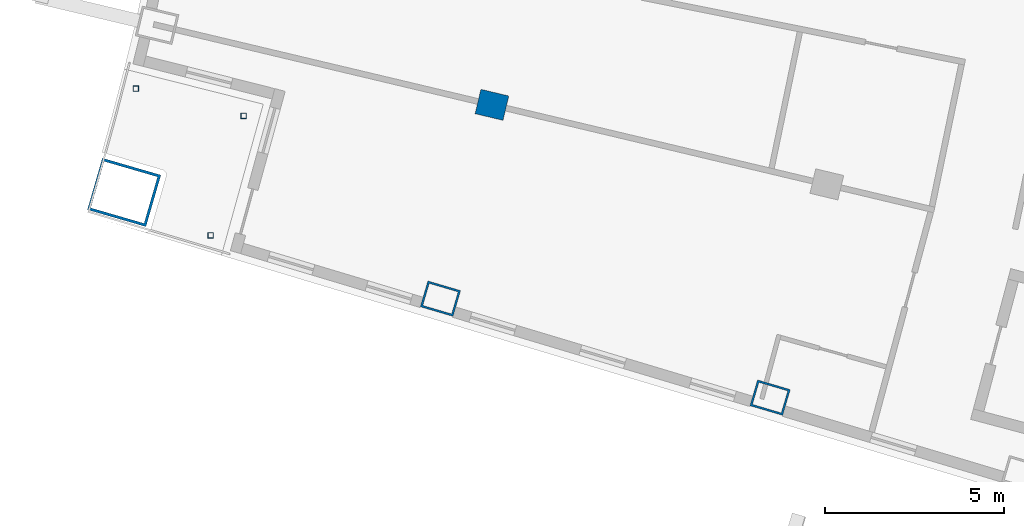
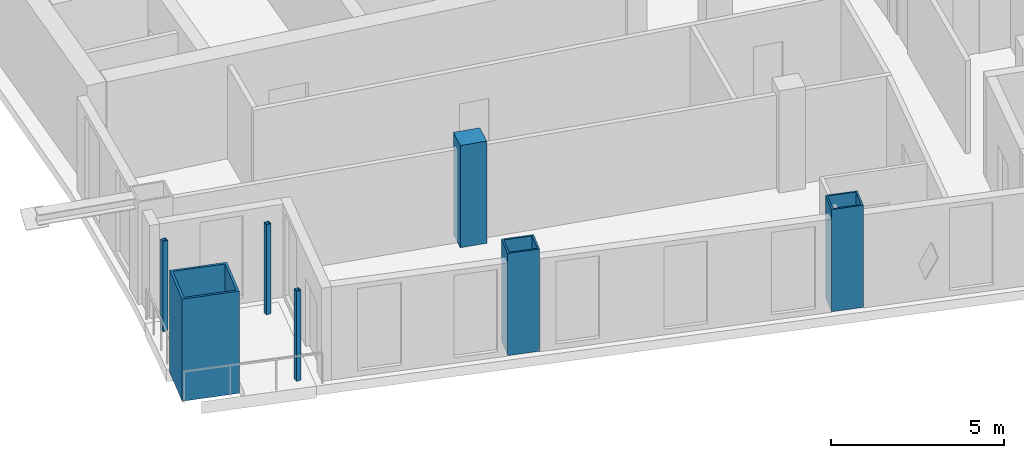
# One storey, part 1 of 17: 7 columns.
"""IFC4 building model written with IfcOpenShell, lengths in metres."""

import ifcopenshell
import ifcopenshell.guid

model = None  # the IFC model being written
_history = None  # IfcOwnerHistory: only IFC2X3 demands one
_inside = {}  # id of a spatial element -> (the spatial element, [elements in it])
_under = {}  # id of a project, library or spatial element -> (it, [spatial elements below it])
_declared = {}  # id of a project -> (the project, [libraries it declares])
_typed = {}  # id of a type object -> (the type object, [elements of that type])
_made_of = {}  # id of a material, layer set ... -> (it, [elements and type objects made of it])


def new_model(schema):
    """Start an empty IFC model of exactly this schema.

    Asked for "IFC4X3", IfcOpenShell would pick the latest addendum, in which some entities
    have other attributes; the version numbers below select the first issue.
    IFC2X3 requires an IfcOwnerHistory on every rooted entity: one is made here for all.
    """
    global model, _history
    if schema == "IFC4X3":
        model = ifcopenshell.file(schema_version=(4, 3, 0, 0))
    else:
        model = ifcopenshell.file(schema=schema)
    _inside.clear()
    _under.clear()
    _declared.clear()
    _typed.clear()
    _made_of.clear()
    _history = None
    if model.schema == "IFC2X3":
        org = make("IfcOrganization", Name="unknown")
        user = make(
            "IfcPersonAndOrganization",
            ThePerson=make("IfcPerson", FamilyName="unknown"),
            TheOrganization=org,
        )
        app = make(
            "IfcApplication",
            ApplicationDeveloper=org,
            Version="unknown",
            ApplicationFullName="unknown",
            ApplicationIdentifier="unknown",
        )
        _history = make(
            "IfcOwnerHistory",
            OwningUser=user,
            OwningApplication=app,
            ChangeAction="ADDED",
            CreationDate=0,
        )
    return model


def make(cls, **values):
    """One entity of the class cls with the attributes given. An attribute that is None is left unset."""
    return model.create_entity(
        cls, **{name: value for name, value in values.items() if value is not None}
    )


def rooted(cls, **values):
    """An entity with a GlobalId (a new one), such as an element, a storey or a relation."""
    return make(cls, GlobalId=ifcopenshell.guid.new(), OwnerHistory=_history, **values)


def si_unit(unit_type, name, prefix=None):
    """IfcSIUnit, for example si_unit("LENGTHUNIT", "METRE", prefix="MILLI")."""
    return make("IfcSIUnit", UnitType=unit_type, Prefix=prefix, Name=name)


def assignment(units):
    """IfcUnitAssignment: the units of a project."""
    return None if units is None else make("IfcUnitAssignment", Units=units)


def point(xyz):
    """IfcCartesianPoint."""
    return None if xyz is None else make("IfcCartesianPoint", Coordinates=xyz)


def direction(xyz):
    """IfcDirection."""
    return None if xyz is None else make("IfcDirection", DirectionRatios=xyz)


def frame(location, z_axis=None, x_axis=None):
    """IfcAxis2Placement3D, a coordinate frame: its origin and axes. An axis left out is left unset."""
    return make(
        "IfcAxis2Placement3D",
        Location=point(location),
        Axis=direction(z_axis),
        RefDirection=direction(x_axis),
    )


def frame_2d(location, x_axis=None):
    """IfcAxis2Placement2D, a coordinate frame in the plane: its origin and x axis."""
    return make(
        "IfcAxis2Placement2D", Location=point(location), RefDirection=direction(x_axis)
    )


def origin():
    """The frame at (0, 0, 0) with its axes left unset."""
    return frame((0.0, 0.0, 0.0))


def origin_2d():
    """The frame at (0, 0) in the plane with its x axis left unset."""
    return frame_2d((0.0, 0.0))


def place(relative_to, where):
    """IfcLocalPlacement: puts the frame where relative to a parent placement (None: the world)."""
    return make(
        "IfcLocalPlacement", PlacementRelTo=relative_to, RelativePlacement=where
    )


def context(
    kind, dimensions, precision=None, world=None, true_north=None, identifier=None
):
    """IfcGeometricRepresentationContext, for example the 3D "Model" context."""
    return make(
        "IfcGeometricRepresentationContext",
        ContextIdentifier=identifier,
        ContextType=kind,
        CoordinateSpaceDimension=dimensions,
        Precision=precision,
        WorldCoordinateSystem=world,
        TrueNorth=true_north,
    )


def subcontext(parent, identifier, kind, view, scale=None):
    """IfcGeometricRepresentationSubContext, for example "Body" below "Model"."""
    return make(
        "IfcGeometricRepresentationSubContext",
        ContextIdentifier=identifier,
        ContextType=kind,
        ParentContext=parent,
        TargetScale=scale,
        TargetView=view,
    )


def project(units=None, contexts=None):
    """IfcProject with its units and contexts."""
    return rooted(
        "IfcProject",
        Name="project",
        RepresentationContexts=contexts,
        UnitsInContext=assignment(units),
    )


def spatial(cls, under=None, at=None, **own):
    """A site, building, storey or space (cls), placed at a placement, below another one or the project."""
    s = rooted(cls, ObjectPlacement=at, **own)
    if under is not None:
        _under.setdefault(under.id(), (under, []))[1].append(s)
    return s


def profile(cls, at=None, kind="AREA", **sizes):
    """A parametric profile (cls). Its sizes go by their IFC names, for example OverallWidth=200.0."""
    return make(cls, ProfileType=kind, Position=at, **sizes)


def rectangle(**sizes):
    """IfcRectangleProfileDef."""
    return profile("IfcRectangleProfileDef", **sizes)


def hollow_rectangle(**sizes):
    """IfcRectangleHollowProfileDef."""
    return profile("IfcRectangleHollowProfileDef", **sizes)


def extrude(swept, where, along, depth):
    """IfcExtrudedAreaSolid: the profile swept, set in the frame where, extruded along a direction by depth."""
    return make(
        "IfcExtrudedAreaSolid",
        SweptArea=swept,
        Position=where,
        ExtrudedDirection=direction(along),
        Depth=depth,
    )


def shape(context_of_items, identifier, shape_type, items):
    """IfcShapeRepresentation: the items that make up one representation, for example the "Body"."""
    return make(
        "IfcShapeRepresentation",
        ContextOfItems=context_of_items,
        RepresentationIdentifier=identifier,
        RepresentationType=shape_type,
        Items=items,
    )


def material(Name=None, Category=None):
    """IfcMaterial."""
    return make("IfcMaterial", Name=Name, Category=Category)


def material_profile(
    of_material, cross_section, Name=None, Category=None, Priority=None
):
    """IfcMaterialProfile: a cross section and its material."""
    return make(
        "IfcMaterialProfile",
        Name=Name,
        Material=of_material,
        Profile=cross_section,
        Priority=Priority,
        Category=Category,
    )


def profile_set(profiles, Name=None, composite=None):
    """IfcMaterialProfileSet."""
    return make(
        "IfcMaterialProfileSet",
        Name=Name,
        MaterialProfiles=profiles,
        CompositeProfile=composite,
    )


def made_of(thing, what):
    """Note that an element or type object is made of a material, layer set ...; save() writes the relation."""
    if what is not None:
        _made_of.setdefault(what.id(), (what, []))[1].append(thing)
    return thing


def type_object(cls, material=None, **own):
    """A type object (cls), such as IfcWallType, which elements share."""
    return made_of(rooted(cls, **own), material)


def element(
    cls,
    number,
    at=None,
    inside=None,
    cuts=None,
    type_object=None,
    material=None,
    context=None,
    identifier="Body",
    shape_type=None,
    held_by="IfcProductDefinitionShape",
    body=None,
    shapes=None,
    **own,
):
    """One element of the class cls, such as IfcWall. Its Tag is "e" and its number.

    at: its placement. inside: the storey or other place that contains it. cuts: it is an
    opening in that element (IfcRelVoidsElement). A single representation is given by context,
    identifier, shape_type and body (its items); several are given by shapes. held_by: the class
    of the entity that holds the representations. save() writes the other relations.
    """
    e = rooted(cls, Tag="e%d" % number, ObjectPlacement=at, **own)
    if body is not None:
        shapes = [shape(context, identifier, shape_type, body)]
    if shapes is not None:
        e.Representation = make(held_by, Representations=shapes)
    if inside is not None:
        _inside.setdefault(inside.id(), (inside, []))[1].append(e)
    if cuts is not None:
        rooted(
            "IfcRelVoidsElement", RelatingBuildingElement=cuts, RelatedOpeningElement=e
        )
    if type_object is not None:
        _typed.setdefault(type_object.id(), (type_object, []))[1].append(e)
    return made_of(e, material)


def aggregate(whole, parts):
    """IfcRelAggregates: a whole, such as a stair, and the parts it consists of."""
    return rooted("IfcRelAggregates", RelatingObject=whole, RelatedObjects=parts)


def save(model, path):
    """Write the relations noted so far, then the file.

    IfcRelAggregates (storeys below a building ...), IfcRelContainedInSpatialStructure (elements
    in a storey), IfcRelDefinesByType, IfcRelAssociatesMaterial and IfcRelDeclares: one each for
    every whole, place, type object, material and project.
    """
    for whole, parts in _under.values():
        aggregate(whole, parts)
    for where, things in _inside.values():
        rooted(
            "IfcRelContainedInSpatialStructure",
            RelatedElements=things,
            RelatingStructure=where,
        )
    for kind, things in _typed.values():
        rooted("IfcRelDefinesByType", RelatedObjects=things, RelatingType=kind)
    for what, things in _made_of.values():
        rooted("IfcRelAssociatesMaterial", RelatedObjects=things, RelatingMaterial=what)
    for by, libraries in _declared.values():
        rooted("IfcRelDeclares", RelatingContext=by, RelatedDefinitions=libraries)
    model.write(path)


model = new_model("IFC4")

# Units and contexts
model_context = context("Model", 3, precision=1e-05, world=origin(), true_north=direction((0.0, 1.0)))
body_context = subcontext(model_context, "Body", "Model", "MODEL_VIEW")
ifc_project = project(units=[si_unit("LENGTHUNIT", "METRE"), si_unit("AREAUNIT", "SQUARE_METRE"), si_unit("VOLUMEUNIT", "CUBIC_METRE"), si_unit("PLANEANGLEUNIT", "RADIAN"), si_unit("MASSUNIT", "GRAM", prefix="KILO")], contexts=[model_context])

# Site, building, storey
site_placement = place(None, origin())
site = spatial("IfcSite", under=ifc_project, at=site_placement, CompositionType="ELEMENT")
building_placement = place(site_placement, origin())
building = spatial("IfcBuilding", under=site, at=building_placement, Name="Alderwake Tower", CompositionType="ELEMENT")
storey_placement = place(building_placement, frame((0.0, 0.0, 218.0)))
storey = spatial("IfcBuildingStorey", under=building, at=storey_placement, Name="L54", CompositionType="ELEMENT", Elevation=218.0)

# Columns
ifc_material_1 = material(Name="Steel ASTM A572 Grade 50 concrete filled C70/85", Category="concrete")
ifc_material_profile_1 = material_profile(ifc_material_1, hollow_rectangle(XDim=0.75, YDim=0.949951171875, WallThickness=0.054931640625, at=origin_2d()), Name="BOX 950X750X55")
ifc_profile_set_1 = profile_set([ifc_material_profile_1], Name="Steel ASTM A572 Grade 50 concrete filled C70/85")
column_type_1 = type_object("IfcColumnType", Name="End column Z4", PredefinedType="COLUMN", material=ifc_profile_set_1)
for number, where, z_axis, x_axis, name in (
    (1, (21.885498046875, 31.03759765625, 0.0), (0.0, 0.0, 1.0), (0.282132160283, 0.95937554906, 0.0), "Column R02-C1"),
    (2, (31.080322265625, 28.27685546875, 0.0), (0.0, 0.0, 1.0), (0.282582549822, 0.959242984095, 0.0), "Column R02-C2"),
):
    element("IfcColumn", number, at=place(storey_placement, frame(where, z_axis=z_axis, x_axis=x_axis)), inside=storey, type_object=column_type_1, Name=name, PredefinedType="COLUMN", context=body_context, shape_type="SweptSolid", body=[
        extrude(hollow_rectangle(XDim=0.75, YDim=0.949951171875, WallThickness=0.054931640625, at=origin_2d()), origin(), (0.0, 0.0, 1.0), 3.60009765625),
    ])
ifc_material_2 = material(Name="Concrete C70/85", Category="concrete")
ifc_material_profile_2 = material_profile(ifc_material_2, rectangle(XDim=0.699951171875, YDim=0.800048828125, at=origin_2d()), Name="RC 800X700")
ifc_profile_set_2 = profile_set([ifc_material_profile_2], Name="Concrete C70/85")
column_type_2 = type_object("IfcColumnType", Name="Interior column Z4", PredefinedType="COLUMN", material=ifc_profile_set_2)
column_1_placement = place(storey_placement, frame((23.322021484375, 36.444091796875, 0.0), z_axis=(0.0, 0.0, 1.0), x_axis=(0.231221547198, 0.972901123502, 0.0)))
element("IfcColumn", 3, at=column_1_placement, inside=storey, type_object=column_type_2, Name="Column R03-C1", PredefinedType="COLUMN", context=body_context, shape_type="SweptSolid", body=[
    extrude(rectangle(XDim=0.699951171875, YDim=0.800048828125, at=origin_2d()), origin(), (0.0, 0.0, 1.0), 3.60009765625),
])
ifc_material_3 = material(Name="Steel ASTM A500 Grade C", Category="steel")
ifc_material_profile_3 = material_profile(ifc_material_3, hollow_rectangle(XDim=0.15234375, YDim=0.15234375, WallThickness=0.0087890625, at=origin_2d()), Name="HSS6X6X3/8")
ifc_profile_set_3 = profile_set([ifc_material_profile_3], Name="Steel ASTM A500 Grade C")
column_type_3 = type_object("IfcColumnType", Name="Light post HSS6X6X3/8", PredefinedType="COLUMN", material=ifc_profile_set_3)
for number, where, z_axis, x_axis, name in (
    (4, (13.3896484375, 36.896484375, 0.0), (0.0, 0.0, 1.0), (1.0, 0.0, 0.0), "Terrace post RS1"),
    (5, (15.47412109375, 32.805908203125, 0.0), (0.0, 0.0, 1.0), (1.0, 0.0, 0.0), "Terrace post RS2"),
    (6, (16.39501953125, 36.135986328125, 0.0), (0.0, 0.0, 1.0), (1.0, 0.0, 0.0), "Terrace post RS3"),
):
    element("IfcColumn", number, at=place(storey_placement, frame(where, z_axis=z_axis, x_axis=x_axis)), inside=storey, type_object=column_type_3, Name=name, PredefinedType="COLUMN", context=body_context, shape_type="SweptSolid", body=[
        extrude(hollow_rectangle(XDim=0.15234375, YDim=0.15234375, WallThickness=0.0087890625, at=origin_2d()), origin(), (0.0, 0.0, 1.0), 3.179931640625),
    ])
ifc_material_4 = material(Name="Steel ASTM A572 Grade 50 concrete filled C70/85", Category="concrete")
ifc_material_profile_4 = material_profile(ifc_material_4, hollow_rectangle(XDim=1.5, YDim=1.699951171875, WallThickness=0.074951171875, at=origin_2d()), Name="BOX 1700X1500X75")
ifc_profile_set_4 = profile_set([ifc_material_profile_4], Name="Steel ASTM A572 Grade 50 concrete filled C70/85")
column_type_4 = type_object("IfcColumnType", Name="Mega column Z4", PredefinedType="COLUMN", material=ifc_profile_set_4)
column_2_placement = place(storey_placement, frame((13.06298828125, 34.00244140625, 0.0), z_axis=(0.0, 0.0, 1.0), x_axis=(0.278612301868, 0.960403657452, 0.0)))
element("IfcColumn", 7, at=column_2_placement, inside=storey, type_object=column_type_4, Name="Column R02-C0", PredefinedType="COLUMN", context=body_context, shape_type="SweptSolid", body=[
    extrude(hollow_rectangle(XDim=1.5, YDim=1.699951171875, WallThickness=0.074951171875, at=origin_2d()), origin(), (0.0, 0.0, 1.0), 3.60009765625),
])

save(model, "model.ifc")
